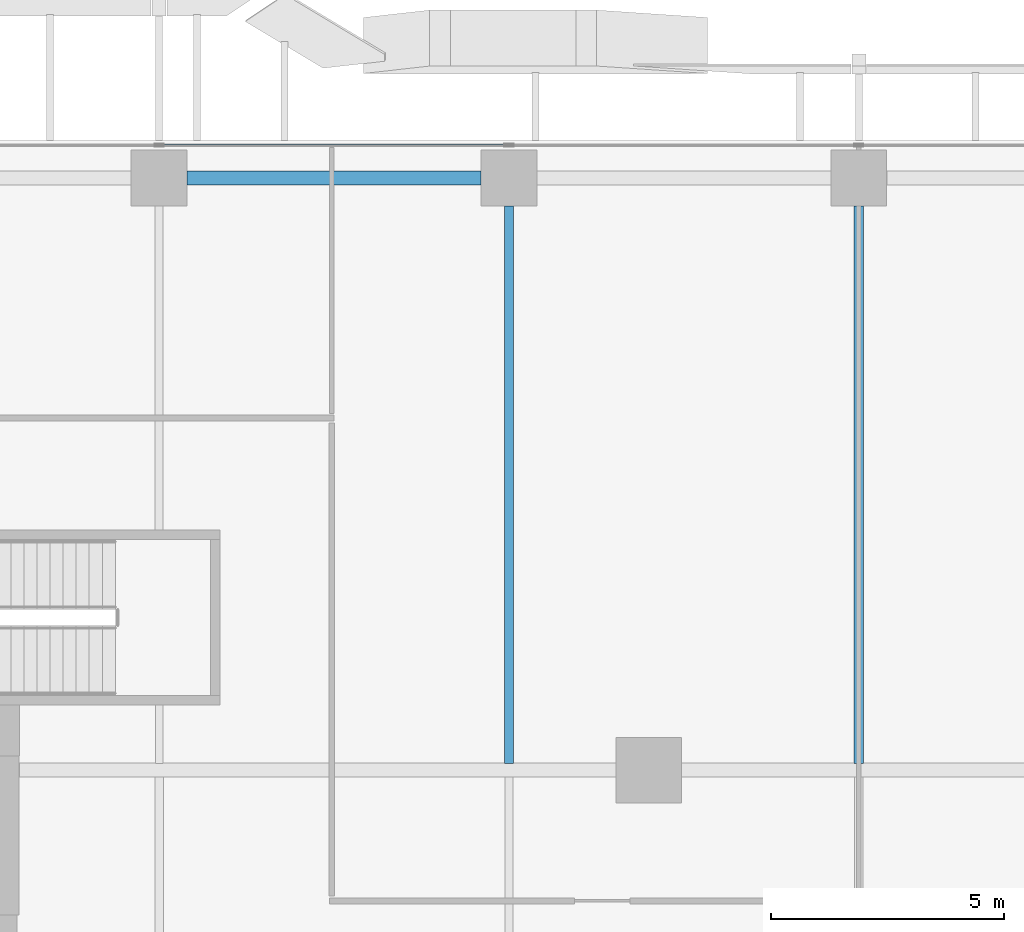
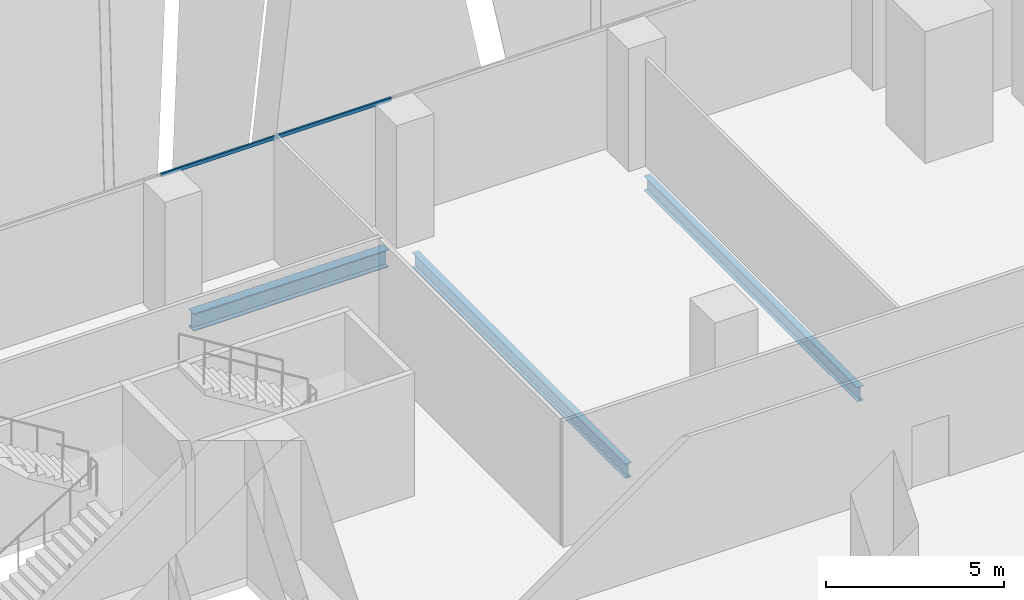
# One storey, part 17 of 34: 3 beams, 1 member, 1 element without a shape of its own.
"""IFC4 building model written with IfcOpenShell, lengths in metres."""

from ifc_helpers import new_model, si_unit, direction, frame, origin, origin_2d, place, context, subcontext, project, spatial, hollow_rectangle, i_section, extrude, source, transform, mapped, material, material_profile, profile_set, type_object, element, aggregate, save


model = new_model("IFC4")

# Units and contexts
model_context = context("Model", 3, precision=1e-05, world=origin(), true_north=direction((0.0, 1.0)))
body_context = subcontext(model_context, "Body", "Model", "MODEL_VIEW")
ifc_project = project(units=[si_unit("LENGTHUNIT", "METRE"), si_unit("AREAUNIT", "SQUARE_METRE"), si_unit("VOLUMEUNIT", "CUBIC_METRE"), si_unit("PLANEANGLEUNIT", "RADIAN"), si_unit("MASSUNIT", "GRAM", prefix="KILO")], contexts=[model_context])

# Site, building, storey
site_placement = place(None, origin())
site = spatial("IfcSite", under=ifc_project, at=site_placement, CompositionType="ELEMENT")
building_placement = place(site_placement, origin())
building = spatial("IfcBuilding", under=site, at=building_placement, Name="Khomas Fold Tower", CompositionType="ELEMENT")
storey_placement = place(building_placement, frame((0.0, 0.0, 73.5)))
storey = spatial("IfcBuildingStorey", under=building, at=storey_placement, Name="L15", CompositionType="ELEMENT", Elevation=73.5)

# Beams
ifc_material_1 = material(Name="Steel S355", Category="steel")
ifc_material_profile_1 = material_profile(ifc_material_1, i_section(OverallWidth=0.300048828125, OverallDepth=0.60009765625, WebThickness=0.015380859375, FlangeThickness=0.030029296875, at=origin_2d()), Name="HE 600 B")
ifc_profile_set_1 = profile_set([ifc_material_profile_1], Name="Steel S355")
beam_type_1 = type_object("IfcBeamType", Name="HE 600 B spandrel SB1", PredefinedType="SPANDREL", material=ifc_profile_set_1)
shared_shape_1 = source(origin(), body_context, "Body", "SweptSolid", [
    extrude(i_section(OverallWidth=0.300048828125, OverallDepth=0.60009765625, WebThickness=0.015380859375, FlangeThickness=0.030029296875, at=origin_2d()), origin(), (0.0, 0.0, 1.0), 6.2998046875),
])
beam_placement = place(storey_placement, frame((27.60009765625, 53.199951171875, -0.60009765625), z_axis=(1.0, 0.0, 0.0), x_axis=(0.0, 1.0, 0.0)))
element("IfcBeam", 1, at=beam_placement, inside=storey, type_object=beam_type_1, Name="SB1", PredefinedType="SPANDREL", context=body_context, shape_type="MappedRepresentation", body=[
    mapped(shared_shape_1, transform((0.0, 0.0, 0.0))),
])
ifc_material_2 = material(Name="Steel S355", Category="steel")
ifc_material_profile_2 = material_profile(ifc_material_2, i_section(OverallWidth=0.199951171875, OverallDepth=0.5, WebThickness=0.01025390625, FlangeThickness=0.01611328125, at=origin_2d()), Name="IPE 500")
ifc_profile_set_2 = profile_set([ifc_material_profile_2], Name="Steel S355")
beam_type_2 = type_object("IfcBeamType", Name="IPE 500 beam JB5", PredefinedType="BEAM", material=ifc_profile_set_2)
shared_shape_2 = source(origin(), body_context, "Body", "SweptSolid", [
    extrude(i_section(OverallWidth=0.199951171875, OverallDepth=0.5, WebThickness=0.01025390625, FlangeThickness=0.01611328125, at=origin_2d()), origin(), (0.0, 0.0, 1.0), 11.9501953125),
])
for number, where, z_axis, x_axis, name in (
    (2, (34.5, 40.64990234375, -0.550048828125), (0.0, 1.0, 0.0), (-1.0, 0.0, 0.0), "JB5"),
    (3, (42.0, 40.64990234375, -0.550048828125), (0.0, 1.0, 0.0), (-1.0, 0.0, 0.0), "JB5"),
):
    element("IfcBeam", number, at=place(storey_placement, frame(where, z_axis=z_axis, x_axis=x_axis)), inside=storey, type_object=beam_type_2, Name=name, PredefinedType="BEAM", context=body_context, shape_type="MappedRepresentation", body=[
        mapped(shared_shape_2, transform((0.0, 0.0, 0.0))),
    ])

# Curtain wall, member
ifc_material_3 = material(Name="Aluminium framed double glazing", Category="aluminium")
curtain_wall_type = type_object("IfcCurtainWallType", Name="SK-Unitised clear-glass wall, growing floors CW1", PredefinedType="NOTDEFINED", material=ifc_material_3)
curtain_wall_placement = place(storey_placement, origin())
curtain_wall = element("IfcCurtainWall", 4, at=curtain_wall_placement, inside=storey, type_object=curtain_wall_type, Name="CW1 run L15 06-0", PredefinedType="NOTDEFINED")
ifc_material_4 = material(Name="Aluminium", Category="aluminium")
ifc_material_profile_3 = material_profile(ifc_material_4, hollow_rectangle(XDim=0.06005859375, YDim=0.1201171875, WallThickness=0.00390625, at=origin_2d()), Name="SK-Unitised clear-glass wall, growing floors transom CW1-T")
ifc_profile_set_3 = profile_set([ifc_material_profile_3], Name="Aluminium")
member_type = type_object("IfcMemberType", Name="SK-Unitised clear-glass wall, growing floors transom CW1-T", PredefinedType="USERDEFINED", material=ifc_profile_set_3)
shared_shape_3 = source(origin(), body_context, "Body", "SweptSolid", [
    extrude(hollow_rectangle(XDim=0.06005859375, YDim=0.1201171875, WallThickness=0.00390625, at=origin_2d()), origin(), (0.0, 0.0, 1.0), 7.43994140625),
])
member_placement = place(storey_placement, frame((34.469970703125, 53.89990234375, 4.139892578125), z_axis=(-1.0, 0.0, 0.0), x_axis=(0.0, -1.0, 0.0)))
member = element("IfcMember", 5, at=member_placement, type_object=member_type, Name="CW1 transom 4", ObjectType="TRANSOM", PredefinedType="USERDEFINED", context=body_context, shape_type="MappedRepresentation", body=[
    mapped(shared_shape_3, transform((0.0, 0.0, 0.0))),
])
aggregate(curtain_wall, [member])

save(model, "model.ifc")
